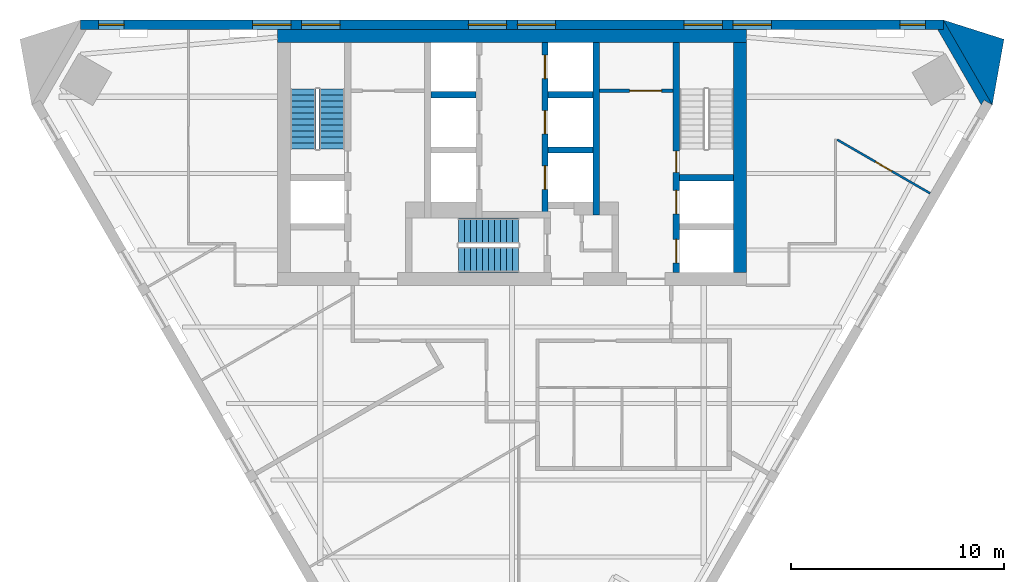
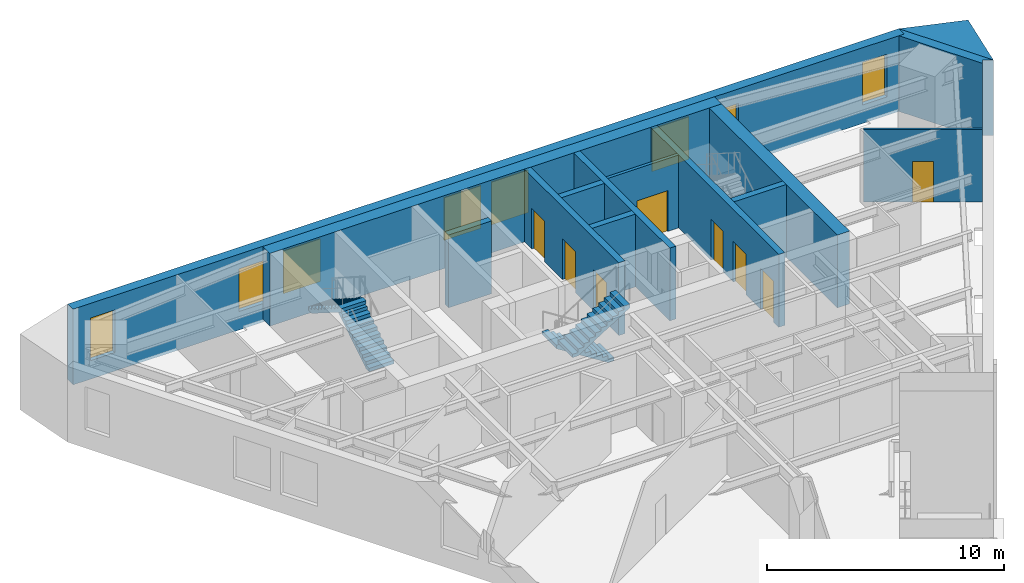
# One storey, part 5 of 7: 14 walls, 8 doors, 8 windows, 4 stair flights, 16 openings, 2 elements without a shape of their own.
"""IFC4 building model written with IfcOpenShell, lengths in metres."""

from ifc_helpers import new_model, si_unit, direction, frame, frame_2d, origin, place, context, subcontext, project, spatial, polyline, rectangle, outline, extrude, material, layer, layer_set, type_object, element, fill, aggregate, save


model = new_model("IFC4")

# Units and contexts
model_context = context("Model", 3, precision=1e-05, world=origin(), true_north=direction((0.0, 1.0)))
body_context = subcontext(model_context, "Body", "Model", "MODEL_VIEW")
ifc_project = project(units=[si_unit("LENGTHUNIT", "METRE"), si_unit("AREAUNIT", "SQUARE_METRE"), si_unit("VOLUMEUNIT", "CUBIC_METRE"), si_unit("PLANEANGLEUNIT", "RADIAN"), si_unit("MASSUNIT", "GRAM", prefix="KILO")], contexts=[model_context])

# Site, building, storey
site_placement = place(None, origin())
site = spatial("IfcSite", under=ifc_project, at=site_placement, CompositionType="ELEMENT")
building_placement = place(site_placement, origin())
building = spatial("IfcBuilding", under=site, at=building_placement, Name="Aloe Facet Convention Tower", CompositionType="ELEMENT")
storey_placement = place(building_placement, frame((0.0, 0.0, 163.699951171875)))
storey = spatial("IfcBuildingStorey", under=building, at=storey_placement, Name="L41", CompositionType="ELEMENT", Elevation=163.699951171875)

# Wall, opening, door
ifc_material_1 = material(Name="Concrete blockwork partition", Category="masonry")
ifc_layer_1 = layer(ifc_material_1, 0.14990234375)
ifc_layer_set_1 = layer_set([ifc_layer_1], Name="CR-W-PART150")
wall_type_1 = type_object("IfcWallType", Name="CR-W-PART150", PredefinedType="PARTITIONING", material=ifc_layer_set_1)
wall_1_placement = place(storey_placement, frame((84.10009765625, 131.675048828125, 0.0), z_axis=(0.0, 0.0, 1.0), x_axis=(1.0, 0.0, 0.0)))
wall_1 = element("IfcWall", 1, at=wall_1_placement, inside=storey, type_object=wall_type_1, Name="Core partition L41-025", PredefinedType="PARTITIONING", context=body_context, shape_type="SweptSolid", body=[
    extrude(rectangle(XDim=3.449951171875, YDim=0.14990234375, at=frame_2d((1.72509765625, 0.0))), origin(), (0.0, 0.0, 1.0), 3.75),
])
opening_1_placement = place(wall_1_placement, frame((1.425048828125, 0.0, 0.0)))
opening_1 = element("IfcOpeningElement", 2, at=opening_1_placement, cuts=wall_1, Name="Opening L41-CD13", PredefinedType="OPENING", context=body_context, shape_type="SweptSolid", body=[
    extrude(rectangle(XDim=1.5, YDim=2.10009765625, at=frame_2d((0.75, 1.050048828125))), frame((0.0, 0.0849609375, 0.0), z_axis=(0.0, -1.0, 0.0), x_axis=(1.0, 0.0, 0.0)), (0.0, 0.0, 1.0), 0.169921875),
])
ifc_material_2 = material(Name="Steel fire-resisting door set FD60", Category="steel")
door_type_1 = type_object("IfcDoorType", Name="CR-D-REFUGE-1500-FD60-DD", OperationType="DOUBLE_DOOR_DOUBLE_SWING", PredefinedType="DOOR", material=ifc_material_2)
door_1_placement = place(opening_1_placement, origin())
door_1 = element("IfcDoor", 3, at=door_1_placement, inside=storey, type_object=door_type_1, Name="Core door L41-CD13", OperationType="DOUBLE_DOOR_DOUBLE_SWING", OverallHeight=2.10009765625, OverallWidth=1.5, PredefinedType="DOOR", context=body_context, shape_type="SweptSolid", body=[
    extrude(rectangle(XDim=1.5, YDim=2.10009765625, at=frame_2d((0.75, 1.050048828125))), frame((0.0, 0.02490234375, 0.0), z_axis=(0.0, -1.0, 0.0), x_axis=(1.0, 0.0, 0.0)), (0.0, 0.0, 1.0), 0.050048828125),
])
fill(opening_1, door_1)

# Wall
ifc_material_3 = material(Name="Concrete C60/75", Category="concrete")
ifc_layer_2 = layer(ifc_material_3, 0.300048828125)
ifc_layer_set_2 = layer_set([ifc_layer_2], Name="CR-W-RC300-C6075")
wall_type_2 = type_object("IfcWallType", Name="CR-W-RC300-C6075", PredefinedType="SOLIDWALL", material=ifc_layer_set_2)
wall_2_placement = place(storey_placement, frame((76.199951171875, 131.5, 0.0), z_axis=(0.0, 0.0, 1.0), x_axis=(1.0, 0.0, 0.0)))
element("IfcWall", 4, at=wall_2_placement, inside=storey, type_object=wall_type_2, Name="Core wall L41-011", PredefinedType="SOLIDWALL", context=body_context, shape_type="SweptSolid", body=[
    extrude(rectangle(XDim=2.10009765625, YDim=0.300048828125, at=frame_2d((1.050048828125, 0.0))), origin(), (0.0, 0.0, 1.0), 3.75),
])

# Wall, openings, doors
wall_3_placement = place(storey_placement, frame((81.550048828125, 133.949951171875, 0.0), z_axis=(0.0, 0.0, 1.0), x_axis=(0.0, -1.0, 0.0)))
wall_3 = element("IfcWall", 5, at=wall_3_placement, inside=storey, type_object=wall_type_2, Name="Core wall L41-016", PredefinedType="SOLIDWALL", context=body_context, shape_type="SweptSolid", body=[
    extrude(rectangle(XDim=7.949951171875, YDim=0.300048828125, at=frame_2d((3.97509765625, 0.0))), origin(), (0.0, 0.0, 1.0), 3.75),
])
opening_2_placement = place(wall_3_placement, frame((0.60009765625, 0.0, 0.0)))
opening_2 = element("IfcOpeningElement", 6, at=opening_2_placement, cuts=wall_3, Name="Opening LD-B4-L41", PredefinedType="OPENING", context=body_context, shape_type="SweptSolid", body=[
    extrude(rectangle(XDim=1.10009765625, YDim=2.10009765625, at=frame_2d((0.550048828125, 1.050048828125))), frame((0.0, 0.16015625, 0.0), z_axis=(0.0, -1.0, 0.0), x_axis=(1.0, 0.0, 0.0)), (0.0, 0.0, 1.0), 0.320068359375),
])
opening_3_placement = place(wall_3_placement, frame((3.199951171875, 0.0, 0.0)))
opening_3 = element("IfcOpeningElement", 7, at=opening_3_placement, cuts=wall_3, Name="Opening LD-B5-L41", PredefinedType="OPENING", context=body_context, shape_type="SweptSolid", body=[
    extrude(rectangle(XDim=1.10009765625, YDim=2.10009765625, at=frame_2d((0.550048828125, 1.050048828125))), frame((0.0, 0.16015625, 0.0), z_axis=(0.0, -1.0, 0.0), x_axis=(1.0, 0.0, 0.0)), (0.0, 0.0, 1.0), 0.320068359375),
])
opening_4_placement = place(wall_3_placement, frame((5.800048828125, 0.0, 0.0)))
opening_4 = element("IfcOpeningElement", 8, at=opening_4_placement, cuts=wall_3, Name="Opening LD-B6-L41", PredefinedType="OPENING", context=body_context, shape_type="SweptSolid", body=[
    extrude(rectangle(XDim=1.10009765625, YDim=2.10009765625, at=frame_2d((0.550048828125, 1.050048828125))), frame((0.0, 0.16015625, 0.0), z_axis=(0.0, -1.0, 0.0), x_axis=(1.0, 0.0, 0.0)), (0.0, 0.0, 1.0), 0.320068359375),
])
ifc_material_4 = material(Name="Stainless steel sliding landing door", Category="steel")
door_type_2 = type_object("IfcDoorType", Name="CR-LD-1100-FD60-_LEFT", OperationType="SLIDING_TO_LEFT", PredefinedType="DOOR", material=ifc_material_4)
door_2_placement = place(opening_2_placement, origin())
door_2 = element("IfcDoor", 9, at=door_2_placement, inside=storey, type_object=door_type_2, Name="Landing door B4 L41", OperationType="SLIDING_TO_LEFT", OverallHeight=2.10009765625, OverallWidth=1.10009765625, PredefinedType="DOOR", context=body_context, shape_type="SweptSolid", body=[
    extrude(rectangle(XDim=1.10009765625, YDim=2.10009765625, at=frame_2d((0.550048828125, 1.050048828125))), frame((0.0, 0.02490234375, 0.0), z_axis=(0.0, -1.0, 0.0), x_axis=(1.0, 0.0, 0.0)), (0.0, 0.0, 1.0), 0.050048828125),
])
fill(opening_2, door_2)
door_3_placement = place(opening_3_placement, origin())
door_3 = element("IfcDoor", 10, at=door_3_placement, inside=storey, type_object=door_type_2, Name="Landing door B5 L41", OperationType="SLIDING_TO_LEFT", OverallHeight=2.10009765625, OverallWidth=1.10009765625, PredefinedType="DOOR", context=body_context, shape_type="SweptSolid", body=[
    extrude(rectangle(XDim=1.10009765625, YDim=2.10009765625, at=frame_2d((0.550048828125, 1.050048828125))), frame((0.0, 0.02490234375, 0.0), z_axis=(0.0, -1.0, 0.0), x_axis=(1.0, 0.0, 0.0)), (0.0, 0.0, 1.0), 0.050048828125),
])
fill(opening_3, door_3)
door_4_placement = place(opening_4_placement, origin())
door_4 = element("IfcDoor", 11, at=door_4_placement, inside=storey, type_object=door_type_2, Name="Landing door B6 L41", OperationType="SLIDING_TO_LEFT", OverallHeight=2.10009765625, OverallWidth=1.10009765625, PredefinedType="DOOR", context=body_context, shape_type="SweptSolid", body=[
    extrude(rectangle(XDim=1.10009765625, YDim=2.10009765625, at=frame_2d((0.550048828125, 1.050048828125))), frame((0.0, 0.02490234375, 0.0), z_axis=(0.0, -1.0, 0.0), x_axis=(1.0, 0.0, 0.0)), (0.0, 0.0, 1.0), 0.050048828125),
])
fill(opening_4, door_4)

# Walls
for number, where, z_axis, x_axis, name in (
    (12, (81.699951171875, 131.5, 0.0), (0.0, 0.0, 1.0), (1.0, 0.0, 0.0), "Core wall L41-018"),
    (13, (81.699951171875, 128.89990234375, 0.0), (0.0, 0.0, 1.0), (1.0, 0.0, 0.0), "Core wall L41-019"),
):
    element("IfcWall", number, at=place(storey_placement, frame(where, z_axis=z_axis, x_axis=x_axis)), inside=storey, type_object=wall_type_2, Name=name, PredefinedType="SOLIDWALL", context=body_context, shape_type="SweptSolid", body=[
        extrude(rectangle(XDim=2.10009765625, YDim=0.300048828125, at=frame_2d((1.050048828125, 0.0))), origin(), (0.0, 0.0, 1.0), 3.75),
    ])
wall_4_placement = place(storey_placement, frame((83.949951171875, 133.949951171875, 0.0), z_axis=(0.0, 0.0, 1.0), x_axis=(0.0, -1.0, 0.0)))
element("IfcWall", 14, at=wall_4_placement, inside=storey, type_object=wall_type_2, Name="Core wall L41-024", PredefinedType="SOLIDWALL", context=body_context, shape_type="SweptSolid", body=[
    extrude(rectangle(XDim=8.099853515625, YDim=0.300048828125, at=frame_2d((4.0498046875, 0.0))), origin(), (0.0, 0.0, 1.0), 3.75),
])

# Wall, openings, doors
wall_5_placement = place(storey_placement, frame((87.699951171875, 133.949951171875, 0.0), z_axis=(0.0, 0.0, 1.0), x_axis=(0.0, -1.0, 0.0)))
wall_5 = element("IfcWall", 15, at=wall_5_placement, inside=storey, type_object=wall_type_2, Name="Core wall L41-028", PredefinedType="SOLIDWALL", context=body_context, shape_type="SweptSolid", body=[
    extrude(rectangle(XDim=10.800048828125, YDim=0.300048828125, at=frame_2d((5.39990234375, 0.0))), origin(), (0.0, 0.0, 1.0), 3.75),
])
opening_5_placement = place(wall_5_placement, frame((6.949951171875, 0.0, 0.0)))
opening_5 = element("IfcOpeningElement", 16, at=opening_5_placement, cuts=wall_5, Name="Opening LD-FF2-L41", PredefinedType="OPENING", context=body_context, shape_type="SweptSolid", body=[
    extrude(rectangle(XDim=1.10009765625, YDim=2.10009765625, at=frame_2d((0.550048828125, 1.050048828125))), frame((0.0, 0.16015625, 0.0), z_axis=(0.0, -1.0, 0.0), x_axis=(1.0, 0.0, 0.0)), (0.0, 0.0, 1.0), 0.320068359375),
])
opening_6_placement = place(wall_5_placement, frame((5.10009765625, 0.0, 0.0)))
opening_6 = element("IfcOpeningElement", 17, at=opening_6_placement, cuts=wall_5, Name="Opening L41-CD17", PredefinedType="OPENING", context=body_context, shape_type="SweptSolid", body=[
    extrude(rectangle(XDim=1.0, YDim=2.10009765625, at=frame_2d((0.5, 1.050048828125))), frame((0.0, 0.16015625, 0.0), z_axis=(0.0, -1.0, 0.0), x_axis=(1.0, 0.0, 0.0)), (0.0, 0.0, 1.0), 0.320068359375),
])
opening_7_placement = place(wall_5_placement, frame((9.25, 0.0, 0.0)))
opening_7 = element("IfcOpeningElement", 18, at=opening_7_placement, cuts=wall_5, Name="Opening LD-SV1-L41", PredefinedType="OPENING", context=body_context, shape_type="SweptSolid", body=[
    extrude(rectangle(XDim=1.10009765625, YDim=2.10009765625, at=frame_2d((0.550048828125, 1.050048828125))), frame((0.0, 0.16015625, 0.0), z_axis=(0.0, -1.0, 0.0), x_axis=(1.0, 0.0, 0.0)), (0.0, 0.0, 1.0), 0.320068359375),
])
ifc_material_5 = material(Name="Steel fire-resisting door set FD120", Category="steel")
door_type_3 = type_object("IfcDoorType", Name="CR-D-STAIR-1000-FD120-SLEFT", OperationType="SINGLE_SWING_LEFT", PredefinedType="DOOR", material=ifc_material_5)
door_5_placement = place(opening_6_placement, origin())
door_5 = element("IfcDoor", 19, at=door_5_placement, inside=storey, type_object=door_type_3, Name="Core door L41-CD17", OperationType="SINGLE_SWING_LEFT", OverallHeight=2.10009765625, OverallWidth=1.0, PredefinedType="DOOR", context=body_context, shape_type="SweptSolid", body=[
    extrude(rectangle(XDim=1.0, YDim=2.10009765625, at=frame_2d((0.5, 1.050048828125))), frame((0.0, 0.02490234375, 0.0), z_axis=(0.0, -1.0, 0.0), x_axis=(1.0, 0.0, 0.0)), (0.0, 0.0, 1.0), 0.050048828125),
])
fill(opening_6, door_5)
ifc_material_6 = material(Name="Stainless steel sliding landing door", Category="steel")
door_type_4 = type_object("IfcDoorType", Name="CR-LD-1100-FD120-_LEFT", OperationType="SLIDING_TO_LEFT", PredefinedType="DOOR", material=ifc_material_6)
door_6_placement = place(opening_5_placement, origin())
door_6 = element("IfcDoor", 20, at=door_6_placement, inside=storey, type_object=door_type_4, Name="Landing door FF2 L41", OperationType="SLIDING_TO_LEFT", OverallHeight=2.10009765625, OverallWidth=1.10009765625, PredefinedType="DOOR", context=body_context, shape_type="SweptSolid", body=[
    extrude(rectangle(XDim=1.10009765625, YDim=2.10009765625, at=frame_2d((0.550048828125, 1.050048828125))), frame((0.0, 0.02490234375, 0.0), z_axis=(0.0, -1.0, 0.0), x_axis=(1.0, 0.0, 0.0)), (0.0, 0.0, 1.0), 0.050048828125),
])
fill(opening_5, door_6)
door_7_placement = place(opening_7_placement, origin())
door_7 = element("IfcDoor", 21, at=door_7_placement, inside=storey, type_object=door_type_4, Name="Landing door SV1 L41", OperationType="SLIDING_TO_LEFT", OverallHeight=2.10009765625, OverallWidth=1.10009765625, PredefinedType="DOOR", context=body_context, shape_type="SweptSolid", body=[
    extrude(rectangle(XDim=1.10009765625, YDim=2.10009765625, at=frame_2d((0.550048828125, 1.050048828125))), frame((0.0, 0.02490234375, 0.0), z_axis=(0.0, -1.0, 0.0), x_axis=(1.0, 0.0, 0.0)), (0.0, 0.0, 1.0), 0.050048828125),
])
fill(opening_7, door_7)

# Walls
wall_6_placement = place(storey_placement, frame((87.85009765625, 127.60009765625, 0.0), z_axis=(0.0, 0.0, 1.0), x_axis=(1.0, 0.0, 0.0)))
element("IfcWall", 22, at=wall_6_placement, inside=storey, type_object=wall_type_2, Name="Core wall L41-029", PredefinedType="SOLIDWALL", context=body_context, shape_type="SweptSolid", body=[
    extrude(rectangle(XDim=2.5498046875, YDim=0.300048828125, at=frame_2d((1.27490234375, 0.0))), origin(), (0.0, 0.0, 1.0), 3.75),
])
ifc_material_7 = material(Name="Concrete C60/75", Category="concrete")
ifc_layer_3 = layer(ifc_material_7, 0.60009765625)
ifc_layer_set_3 = layer_set([ifc_layer_3], Name="CR-W-RC600-C6075")
wall_type_3 = type_object("IfcWallType", Name="CR-W-RC600-C6075", PredefinedType="SOLIDWALL", material=ifc_layer_set_3)
wall_7_placement = place(storey_placement, frame((69.0, 134.25, 0.0), z_axis=(0.0, 0.0, 1.0), x_axis=(1.0, 0.0, 0.0)))
element("IfcWall", 23, at=wall_7_placement, inside=storey, type_object=wall_type_3, Name="Core wall L41-001", PredefinedType="SOLIDWALL", context=body_context, shape_type="SweptSolid", body=[
    extrude(rectangle(XDim=22.0, YDim=0.60009765625, at=frame_2d((11.0, 0.0))), origin(), (0.0, 0.0, 1.0), 3.75),
])
wall_8_placement = place(storey_placement, frame((90.699951171875, 133.949951171875, 0.0), z_axis=(0.0, 0.0, 1.0), x_axis=(0.0, -1.0, 0.0)))
element("IfcWall", 24, at=wall_8_placement, inside=storey, type_object=wall_type_3, Name="Core wall L41-031", PredefinedType="SOLIDWALL", context=body_context, shape_type="SweptSolid", body=[
    extrude(rectangle(XDim=10.800048828125, YDim=0.60009765625, at=frame_2d((5.39990234375, 0.0))), origin(), (0.0, 0.0, 1.0), 3.75),
])
ifc_material_8 = material(Name="Precast concrete C40/50", Category="concrete")
ifc_layer_4 = layer(ifc_material_8, 0.449951171875)
ifc_layer_set_4 = layer_set([ifc_layer_4], Name="EV-WALL-PIER")
wall_type_4 = type_object("IfcWallType", Name="EV-WALL-PIER", PredefinedType="SOLIDWALL", material=ifc_layer_set_4)
wall_9_placement = place(storey_placement, frame((0.0, 0.0, -0.14990234375)))
element("IfcWall", 25, at=wall_9_placement, inside=storey, type_object=wall_type_4, Name="EP-L41-C", PredefinedType="SOLIDWALL", context=body_context, shape_type="SweptSolid", body=[
    extrude(outline(polyline([(102.54296875, 131.016357421875), (102.1533203125, 131.2412109375), (102.0234375, 131.016357421875), (99.983154296875, 134.550048828125), (100.2431640625, 134.550048828125), (100.2431640625, 135.0), (102.54296875, 131.016357421875)])), origin(), (0.0, 0.0, 1.0), 3.89990234375),
])
ifc_material_9 = material(Name="Precast concrete C40/50", Category="concrete")
ifc_layer_5 = layer(ifc_material_9, 3.947998046875)
ifc_layer_set_5 = layer_set([ifc_layer_5], Name="EV-WALL-SPINE")
wall_type_5 = type_object("IfcWallType", Name="EV-WALL-SPINE", PredefinedType="SOLIDWALL", material=ifc_layer_set_5)
wall_10_placement = place(storey_placement, frame((0.0, 0.0, -0.14990234375)))
element("IfcWall", 26, at=wall_10_placement, inside=storey, type_object=wall_type_5, Name="SP-NE-L41", PredefinedType="SOLIDWALL", context=body_context, shape_type="SweptSolid", body=[
    extrude(outline(polyline([(102.54296875, 131.016357421875), (103.09228515625, 134.0927734375), (100.2431640625, 135.0), (102.54296875, 131.016357421875)])), origin(), (0.0, 0.0, 1.0), 3.89990234375),
])

# Wall, openings, windows
ifc_material_10 = material(Name="Precast concrete C40/50", Category="concrete")
ifc_layer_6 = layer(ifc_material_10, 0.449951171875)
ifc_layer_set_6 = layer_set([ifc_layer_6], Name="EV-WALL-STONE")
wall_type_6 = type_object("IfcWallType", Name="EV-WALL-STONE", PredefinedType="SOLIDWALL", material=ifc_layer_set_6)
wall_11_placement = place(storey_placement, frame((100.2431640625, 134.77490234375, -0.14990234375), z_axis=(0.0, 0.0, 1.0), x_axis=(-1.0, 0.0, 0.0)))
wall_11 = element("IfcWall", 27, at=wall_11_placement, inside=storey, type_object=wall_type_6, Name="EW-L41-N01", PredefinedType="SOLIDWALL", context=body_context, shape_type="SweptSolid", body=[
    extrude(outline(polyline([(40.486083984375, 0.0), (40.486083984375, 3.89990234375), (0.0, 3.89990234375), (0.0, 0.0), (40.486083984375, 0.0)])), frame((0.0, 0.22509765625, 0.0), z_axis=(0.0, -1.0, 0.0), x_axis=(1.0, 0.0, 0.0)), (0.0, 0.0, 1.0), 0.449951171875),
])
opening_8_placement = place(wall_11_placement, frame((0.83740234375, 0.0, 0.949951171875)))
opening_8 = element("IfcOpeningElement", 28, at=opening_8_placement, cuts=wall_11, Name="Opening W-L41-N01", PredefinedType="OPENING", context=body_context, shape_type="SweptSolid", body=[
    extrude(rectangle(XDim=1.199951171875, YDim=2.199951171875, at=frame_2d((0.60009765625, 1.10009765625))), frame((0.0, 0.23486328125, 0.0), z_axis=(0.0, -1.0, 0.0), x_axis=(1.0, 0.0, 0.0)), (0.0, 0.0, 1.0), 0.469970703125),
])
opening_9_placement = place(wall_11_placement, frame((8.071533203125, 0.0, 0.949951171875)))
opening_9 = element("IfcOpeningElement", 29, at=opening_9_placement, cuts=wall_11, Name="Opening W-L41-N02", PredefinedType="OPENING", context=body_context, shape_type="SweptSolid", body=[
    extrude(rectangle(XDim=1.800048828125, YDim=2.199951171875, at=frame_2d((0.89990234375, 1.10009765625))), frame((0.0, 0.23486328125, 0.0), z_axis=(0.0, -1.0, 0.0), x_axis=(1.0, 0.0, 0.0)), (0.0, 0.0, 1.0), 0.469970703125),
])
opening_10_placement = place(wall_11_placement, frame((10.37158203125, 0.0, 0.949951171875)))
opening_10 = element("IfcOpeningElement", 30, at=opening_10_placement, cuts=wall_11, Name="Opening W-L41-N03", PredefinedType="OPENING", context=body_context, shape_type="SweptSolid", body=[
    extrude(rectangle(XDim=1.800048828125, YDim=2.199951171875, at=frame_2d((0.89990234375, 1.10009765625))), frame((0.0, 0.23486328125, 0.0), z_axis=(0.0, -1.0, 0.0), x_axis=(1.0, 0.0, 0.0)), (0.0, 0.0, 1.0), 0.469970703125),
])
opening_11_placement = place(wall_11_placement, frame((18.193115234375, 0.0, 0.949951171875)))
opening_11 = element("IfcOpeningElement", 31, at=opening_11_placement, cuts=wall_11, Name="Opening W-L41-N04", PredefinedType="OPENING", context=body_context, shape_type="SweptSolid", body=[
    extrude(rectangle(XDim=1.800048828125, YDim=2.199951171875, at=frame_2d((0.89990234375, 1.10009765625))), frame((0.0, 0.23486328125, 0.0), z_axis=(0.0, -1.0, 0.0), x_axis=(1.0, 0.0, 0.0)), (0.0, 0.0, 1.0), 0.469970703125),
])
opening_12_placement = place(wall_11_placement, frame((20.4931640625, 0.0, 0.949951171875)))
opening_12 = element("IfcOpeningElement", 32, at=opening_12_placement, cuts=wall_11, Name="Opening W-L41-N05", PredefinedType="OPENING", context=body_context, shape_type="SweptSolid", body=[
    extrude(rectangle(XDim=1.800048828125, YDim=2.199951171875, at=frame_2d((0.89990234375, 1.10009765625))), frame((0.0, 0.23486328125, 0.0), z_axis=(0.0, -1.0, 0.0), x_axis=(1.0, 0.0, 0.0)), (0.0, 0.0, 1.0), 0.469970703125),
])
opening_13_placement = place(wall_11_placement, frame((28.314697265625, 0.0, 0.949951171875)))
opening_13 = element("IfcOpeningElement", 33, at=opening_13_placement, cuts=wall_11, Name="Opening W-L41-N06", PredefinedType="OPENING", context=body_context, shape_type="SweptSolid", body=[
    extrude(rectangle(XDim=1.800048828125, YDim=2.199951171875, at=frame_2d((0.89990234375, 1.10009765625))), frame((0.0, 0.23486328125, 0.0), z_axis=(0.0, -1.0, 0.0), x_axis=(1.0, 0.0, 0.0)), (0.0, 0.0, 1.0), 0.469970703125),
])
opening_14_placement = place(wall_11_placement, frame((30.614501953125, 0.0, 0.949951171875)))
opening_14 = element("IfcOpeningElement", 34, at=opening_14_placement, cuts=wall_11, Name="Opening W-L41-N07", PredefinedType="OPENING", context=body_context, shape_type="SweptSolid", body=[
    extrude(rectangle(XDim=1.800048828125, YDim=2.199951171875, at=frame_2d((0.89990234375, 1.10009765625))), frame((0.0, 0.23486328125, 0.0), z_axis=(0.0, -1.0, 0.0), x_axis=(1.0, 0.0, 0.0)), (0.0, 0.0, 1.0), 0.469970703125),
])
opening_15_placement = place(wall_11_placement, frame((38.44873046875, 0.0, 0.949951171875)))
opening_15 = element("IfcOpeningElement", 35, at=opening_15_placement, cuts=wall_11, Name="Opening W-L41-N08", PredefinedType="OPENING", context=body_context, shape_type="SweptSolid", body=[
    extrude(rectangle(XDim=1.199951171875, YDim=2.199951171875, at=frame_2d((0.60009765625, 1.10009765625))), frame((0.0, 0.23486328125, 0.0), z_axis=(0.0, -1.0, 0.0), x_axis=(1.0, 0.0, 0.0)), (0.0, 0.0, 1.0), 0.469970703125),
])
ifc_material_11 = material(Name="Aluminium frame, clear double glazing", Category="aluminium")
window_type_1 = type_object("IfcWindowType", Name="EV-WIN-O12", PartitioningType="SINGLE_PANEL", PredefinedType="WINDOW", material=ifc_material_11)
window_1_placement = place(opening_8_placement, origin())
window_1 = element("IfcWindow", 36, at=window_1_placement, inside=storey, type_object=window_type_1, Name="W-L41-N01", OverallHeight=2.199951171875, OverallWidth=1.199951171875, PartitioningType="SINGLE_PANEL", PredefinedType="WINDOW", context=body_context, shape_type="SweptSolid", body=[
    extrude(rectangle(XDim=1.199951171875, YDim=2.199951171875, at=frame_2d((0.60009765625, 1.10009765625))), frame((0.0, 0.030029296875, 0.0), z_axis=(0.0, -1.0, 0.0), x_axis=(1.0, 0.0, 0.0)), (0.0, 0.0, 1.0), 0.06005859375),
])
fill(opening_8, window_1)
window_2_placement = place(opening_15_placement, origin())
window_2 = element("IfcWindow", 37, at=window_2_placement, inside=storey, type_object=window_type_1, Name="W-L41-N08", OverallHeight=2.199951171875, OverallWidth=1.199951171875, PartitioningType="SINGLE_PANEL", PredefinedType="WINDOW", context=body_context, shape_type="SweptSolid", body=[
    extrude(rectangle(XDim=1.199951171875, YDim=2.199951171875, at=frame_2d((0.60009765625, 1.10009765625))), frame((0.0, 0.030029296875, 0.0), z_axis=(0.0, -1.0, 0.0), x_axis=(1.0, 0.0, 0.0)), (0.0, 0.0, 1.0), 0.06005859375),
])
fill(opening_15, window_2)
ifc_material_12 = material(Name="Aluminium frame, clear double glazing", Category="aluminium")
window_type_2 = type_object("IfcWindowType", Name="EV-WIN-O18", PartitioningType="SINGLE_PANEL", PredefinedType="WINDOW", material=ifc_material_12)
window_3_placement = place(opening_9_placement, origin())
window_3 = element("IfcWindow", 38, at=window_3_placement, inside=storey, type_object=window_type_2, Name="W-L41-N02", OverallHeight=2.199951171875, OverallWidth=1.800048828125, PartitioningType="SINGLE_PANEL", PredefinedType="WINDOW", context=body_context, shape_type="SweptSolid", body=[
    extrude(rectangle(XDim=1.800048828125, YDim=2.199951171875, at=frame_2d((0.89990234375, 1.10009765625))), frame((0.0, 0.030029296875, 0.0), z_axis=(0.0, -1.0, 0.0), x_axis=(1.0, 0.0, 0.0)), (0.0, 0.0, 1.0), 0.06005859375),
])
fill(opening_9, window_3)
window_4_placement = place(opening_10_placement, origin())
window_4 = element("IfcWindow", 39, at=window_4_placement, inside=storey, type_object=window_type_2, Name="W-L41-N03", OverallHeight=2.199951171875, OverallWidth=1.800048828125, PartitioningType="SINGLE_PANEL", PredefinedType="WINDOW", context=body_context, shape_type="SweptSolid", body=[
    extrude(rectangle(XDim=1.800048828125, YDim=2.199951171875, at=frame_2d((0.89990234375, 1.10009765625))), frame((0.0, 0.030029296875, 0.0), z_axis=(0.0, -1.0, 0.0), x_axis=(1.0, 0.0, 0.0)), (0.0, 0.0, 1.0), 0.06005859375),
])
fill(opening_10, window_4)
window_5_placement = place(opening_11_placement, origin())
window_5 = element("IfcWindow", 40, at=window_5_placement, inside=storey, type_object=window_type_2, Name="W-L41-N04", OverallHeight=2.199951171875, OverallWidth=1.800048828125, PartitioningType="SINGLE_PANEL", PredefinedType="WINDOW", context=body_context, shape_type="SweptSolid", body=[
    extrude(rectangle(XDim=1.800048828125, YDim=2.199951171875, at=frame_2d((0.89990234375, 1.10009765625))), frame((0.0, 0.030029296875, 0.0), z_axis=(0.0, -1.0, 0.0), x_axis=(1.0, 0.0, 0.0)), (0.0, 0.0, 1.0), 0.06005859375),
])
fill(opening_11, window_5)
window_6_placement = place(opening_12_placement, origin())
window_6 = element("IfcWindow", 41, at=window_6_placement, inside=storey, type_object=window_type_2, Name="W-L41-N05", OverallHeight=2.199951171875, OverallWidth=1.800048828125, PartitioningType="SINGLE_PANEL", PredefinedType="WINDOW", context=body_context, shape_type="SweptSolid", body=[
    extrude(rectangle(XDim=1.800048828125, YDim=2.199951171875, at=frame_2d((0.89990234375, 1.10009765625))), frame((0.0, 0.030029296875, 0.0), z_axis=(0.0, -1.0, 0.0), x_axis=(1.0, 0.0, 0.0)), (0.0, 0.0, 1.0), 0.06005859375),
])
fill(opening_12, window_6)
window_7_placement = place(opening_13_placement, origin())
window_7 = element("IfcWindow", 42, at=window_7_placement, inside=storey, type_object=window_type_2, Name="W-L41-N06", OverallHeight=2.199951171875, OverallWidth=1.800048828125, PartitioningType="SINGLE_PANEL", PredefinedType="WINDOW", context=body_context, shape_type="SweptSolid", body=[
    extrude(rectangle(XDim=1.800048828125, YDim=2.199951171875, at=frame_2d((0.89990234375, 1.10009765625))), frame((0.0, 0.030029296875, 0.0), z_axis=(0.0, -1.0, 0.0), x_axis=(1.0, 0.0, 0.0)), (0.0, 0.0, 1.0), 0.06005859375),
])
fill(opening_13, window_7)
window_8_placement = place(opening_14_placement, origin())
window_8 = element("IfcWindow", 43, at=window_8_placement, inside=storey, type_object=window_type_2, Name="W-L41-N07", OverallHeight=2.199951171875, OverallWidth=1.800048828125, PartitioningType="SINGLE_PANEL", PredefinedType="WINDOW", context=body_context, shape_type="SweptSolid", body=[
    extrude(rectangle(XDim=1.800048828125, YDim=2.199951171875, at=frame_2d((0.89990234375, 1.10009765625))), frame((0.0, 0.030029296875, 0.0), z_axis=(0.0, -1.0, 0.0), x_axis=(1.0, 0.0, 0.0)), (0.0, 0.0, 1.0), 0.06005859375),
])
fill(opening_14, window_8)

# Wall, opening, door
ifc_material_13 = material(Name="Gypsum board partition on steel studs", Category="steel")
ifc_layer_7 = layer(ifc_material_13, 0.10009765625)
ifc_layer_set_7 = layer_set([ifc_layer_7], Name="IN-W-PART")
wall_type_7 = type_object("IfcWallType", Name="IN-W-PART", PredefinedType="PARTITIONING", material=ifc_layer_set_7)
wall_12_placement = place(storey_placement, frame((95.263671875, 129.382568359375, 0.0), z_axis=(0.0, 0.0, 1.0), x_axis=(0.866027389382, -0.499996560828, 0.0)))
wall_12 = element("IfcWall", 44, at=wall_12_placement, inside=storey, type_object=wall_type_7, Name="Partition L41-W045", PredefinedType="PARTITIONING", context=body_context, shape_type="SweptSolid", body=[
    extrude(rectangle(XDim=5.037109375, YDim=0.10009765625, at=frame_2d((2.5185546875, 0.0))), origin(), (0.0, 0.0, 1.0), 3.75),
])
opening_16_placement = place(wall_12_placement, frame((2.068603515625, 0.0, 0.0)))
opening_16 = element("IfcOpeningElement", 45, at=opening_16_placement, cuts=wall_12, Name="Opening L41-006", PredefinedType="OPENING", context=body_context, shape_type="SweptSolid", body=[
    extrude(rectangle(XDim=0.89990234375, YDim=2.10009765625, at=frame_2d((0.449951171875, 1.050048828125))), frame((0.0, 0.06005859375, 0.0), z_axis=(0.0, -1.0, 0.0), x_axis=(1.0, 0.0, 0.0)), (0.0, 0.0, 1.0), 0.1201171875),
])
ifc_material_14 = material(Name="Timber door", Category="wood")
door_type_5 = type_object("IfcDoorType", Name="IN-OFF-D-ROOM", OperationType="SINGLE_SWING_LEFT", PredefinedType="DOOR", material=ifc_material_14)
door_8_placement = place(opening_16_placement, origin())
door_8 = element("IfcDoor", 46, at=door_8_placement, inside=storey, type_object=door_type_5, Name="Door L41-006", OperationType="SINGLE_SWING_LEFT", OverallHeight=2.10009765625, OverallWidth=0.89990234375, PredefinedType="DOOR", context=body_context, shape_type="SweptSolid", body=[
    extrude(rectangle(XDim=0.89990234375, YDim=2.10009765625, at=frame_2d((0.449951171875, 1.050048828125))), frame((0.0, 0.02490234375, 0.0), z_axis=(0.0, -1.0, 0.0), x_axis=(1.0, 0.0, 0.0)), (0.0, 0.0, 1.0), 0.050048828125),
])
fill(opening_16, door_8)

# Stair, stair flights
ifc_material_15 = material(Name="Concrete C50/60", Category="concrete")
stair_type = type_object("IfcStairType", Name="CR-ST-22R", PredefinedType="HALF_TURN_STAIR", material=ifc_material_15)
stair_1_placement = place(storey_placement, origin())
stair_1 = element("IfcStair", 47, at=stair_1_placement, inside=storey, type_object=stair_type, Name="L41 Protected exit stair ST1", PredefinedType="HALF_TURN_STAIR")
ifc_material_16 = material(Name="Concrete C50/60", Category="concrete")
stair_flight_type = type_object("IfcStairFlightType", Name="CR-SFL-22R", PredefinedType="STRAIGHT", material=ifc_material_16)
stair_flight_1_placement = place(storey_placement, frame((71.550048828125, 128.949951171875, 0.0), z_axis=(0.0, 0.0, 1.0), x_axis=(0.0, 1.0, 0.0)))
stair_flight_1 = element("IfcStairFlight", 48, at=stair_flight_1_placement, type_object=stair_flight_type, Name="ST1 flight 1", NumberOfRisers=11, NumberOfTreads=10, PredefinedType="STRAIGHT", RiserHeight=0.177272727, TreadLength=0.28, context=body_context, shape_type="SweptSolid", body=[
    extrude(outline(polyline([(0.0, 0.0), (0.0, 0.17724609375), (0.280029296875, 0.17724609375), (0.280029296875, 0.3544921875), (0.56005859375, 0.3544921875), (0.56005859375, 0.53173828125), (0.840087890625, 0.53173828125), (0.840087890625, 0.708984375), (1.1201171875, 0.708984375), (1.1201171875, 0.886474609375), (1.39990234375, 0.886474609375), (1.39990234375, 1.063720703125), (1.679931640625, 1.063720703125), (1.679931640625, 1.240966796875), (1.9599609375, 1.240966796875), (1.9599609375, 1.418212890625), (2.239990234375, 1.418212890625), (2.239990234375, 1.595458984375), (2.52001953125, 1.595458984375), (2.52001953125, 1.772705078125), (2.800048828125, 1.772705078125), (2.800048828125, 1.949951171875), (2.800048828125, 1.59521484375), (0.2802734375, 0.0), (0.0, 0.0)])), frame((0.0, 0.60009765625, 0.0), z_axis=(0.0, -1.0, 0.0), x_axis=(1.0, 0.0, 0.0)), (0.0, 0.0, 1.0), 1.199951171875),
])
stair_flight_2_placement = place(storey_placement, frame((70.199951171875, 131.75, 1.949951171875), z_axis=(0.0, 0.0, 1.0), x_axis=(0.0, -1.0, 0.0)))
stair_flight_2 = element("IfcStairFlight", 49, at=stair_flight_2_placement, type_object=stair_flight_type, Name="ST1 flight 2", NumberOfRisers=11, NumberOfTreads=10, PredefinedType="STRAIGHT", RiserHeight=0.177272727, TreadLength=0.28, context=body_context, shape_type="SweptSolid", body=[
    extrude(outline(polyline([(0.0, 0.0), (0.0, 0.17724609375), (0.280029296875, 0.17724609375), (0.280029296875, 0.3544921875), (0.56005859375, 0.3544921875), (0.56005859375, 0.53173828125), (0.840087890625, 0.53173828125), (0.840087890625, 0.708984375), (1.1201171875, 0.708984375), (1.1201171875, 0.886474609375), (1.39990234375, 0.886474609375), (1.39990234375, 1.063720703125), (1.679931640625, 1.063720703125), (1.679931640625, 1.240966796875), (1.9599609375, 1.240966796875), (1.9599609375, 1.418212890625), (2.239990234375, 1.418212890625), (2.239990234375, 1.595458984375), (2.52001953125, 1.595458984375), (2.52001953125, 1.772705078125), (2.800048828125, 1.772705078125), (2.800048828125, 1.949951171875), (2.800048828125, 1.59521484375), (0.2802734375, 0.0), (0.0, 0.0)])), frame((0.0, 0.60009765625, 0.0), z_axis=(0.0, -1.0, 0.0), x_axis=(1.0, 0.0, 0.0)), (0.0, 0.0, 1.0), 1.199951171875),
])
aggregate(stair_1, [stair_flight_1, stair_flight_2])

stair_2_placement = place(storey_placement, origin())
stair_2 = element("IfcStair", 50, at=stair_2_placement, inside=storey, type_object=stair_type, Name="L41 Protected exit stair ST3", PredefinedType="HALF_TURN_STAIR")
stair_flight_3_placement = place(storey_placement, frame((80.300048828125, 125.10009765625, 0.0), z_axis=(0.0, 0.0, 1.0), x_axis=(-1.0, 0.0, 0.0)))
stair_flight_3 = element("IfcStairFlight", 51, at=stair_flight_3_placement, type_object=stair_flight_type, Name="ST3 flight 1", NumberOfRisers=11, NumberOfTreads=10, PredefinedType="STRAIGHT", RiserHeight=0.177272727, TreadLength=0.28, context=body_context, shape_type="SweptSolid", body=[
    extrude(outline(polyline([(0.0, 0.0), (0.0, 0.17724609375), (0.280029296875, 0.17724609375), (0.280029296875, 0.3544921875), (0.56005859375, 0.3544921875), (0.56005859375, 0.53173828125), (0.840087890625, 0.53173828125), (0.840087890625, 0.708984375), (1.1201171875, 0.708984375), (1.1201171875, 0.886474609375), (1.39990234375, 0.886474609375), (1.39990234375, 1.063720703125), (1.679931640625, 1.063720703125), (1.679931640625, 1.240966796875), (1.9599609375, 1.240966796875), (1.9599609375, 1.418212890625), (2.239990234375, 1.418212890625), (2.239990234375, 1.595458984375), (2.52001953125, 1.595458984375), (2.52001953125, 1.772705078125), (2.800048828125, 1.772705078125), (2.800048828125, 1.949951171875), (2.800048828125, 1.59521484375), (0.2802734375, 0.0), (0.0, 0.0)])), frame((0.0, 0.60009765625, 0.0), z_axis=(0.0, -1.0, 0.0), x_axis=(1.0, 0.0, 0.0)), (0.0, 0.0, 1.0), 1.199951171875),
])
stair_flight_4_placement = place(storey_placement, frame((77.5, 123.75, 1.949951171875), z_axis=(0.0, 0.0, 1.0), x_axis=(1.0, 0.0, 0.0)))
stair_flight_4 = element("IfcStairFlight", 52, at=stair_flight_4_placement, type_object=stair_flight_type, Name="ST3 flight 2", NumberOfRisers=11, NumberOfTreads=10, PredefinedType="STRAIGHT", RiserHeight=0.177272727, TreadLength=0.28, context=body_context, shape_type="SweptSolid", body=[
    extrude(outline(polyline([(0.0, 0.0), (0.0, 0.17724609375), (0.280029296875, 0.17724609375), (0.280029296875, 0.3544921875), (0.56005859375, 0.3544921875), (0.56005859375, 0.53173828125), (0.840087890625, 0.53173828125), (0.840087890625, 0.708984375), (1.1201171875, 0.708984375), (1.1201171875, 0.886474609375), (1.39990234375, 0.886474609375), (1.39990234375, 1.063720703125), (1.679931640625, 1.063720703125), (1.679931640625, 1.240966796875), (1.9599609375, 1.240966796875), (1.9599609375, 1.418212890625), (2.239990234375, 1.418212890625), (2.239990234375, 1.595458984375), (2.52001953125, 1.595458984375), (2.52001953125, 1.772705078125), (2.800048828125, 1.772705078125), (2.800048828125, 1.949951171875), (2.800048828125, 1.59521484375), (0.2802734375, 0.0), (0.0, 0.0)])), frame((0.0, 0.60009765625, 0.0), z_axis=(0.0, -1.0, 0.0), x_axis=(1.0, 0.0, 0.0)), (0.0, 0.0, 1.0), 1.199951171875),
])
aggregate(stair_2, [stair_flight_3, stair_flight_4])

save(model, "model.ifc")
